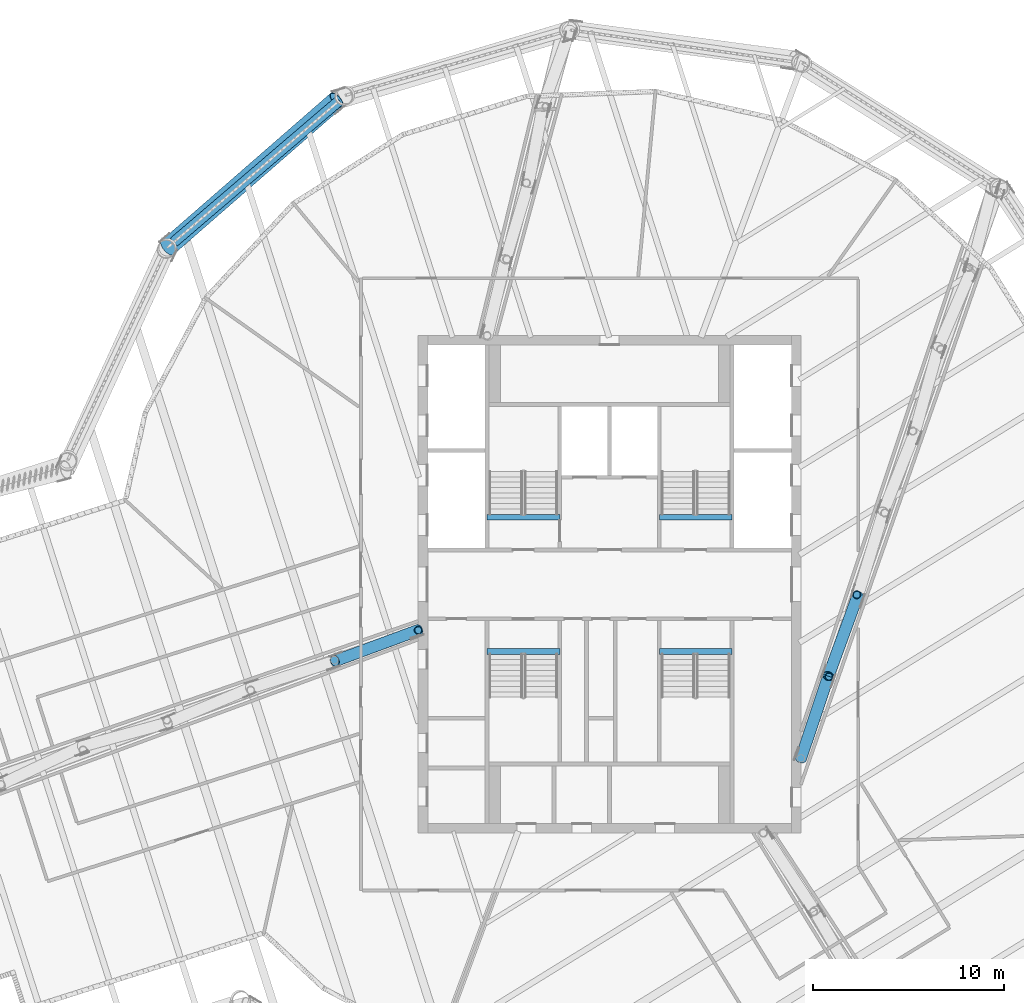
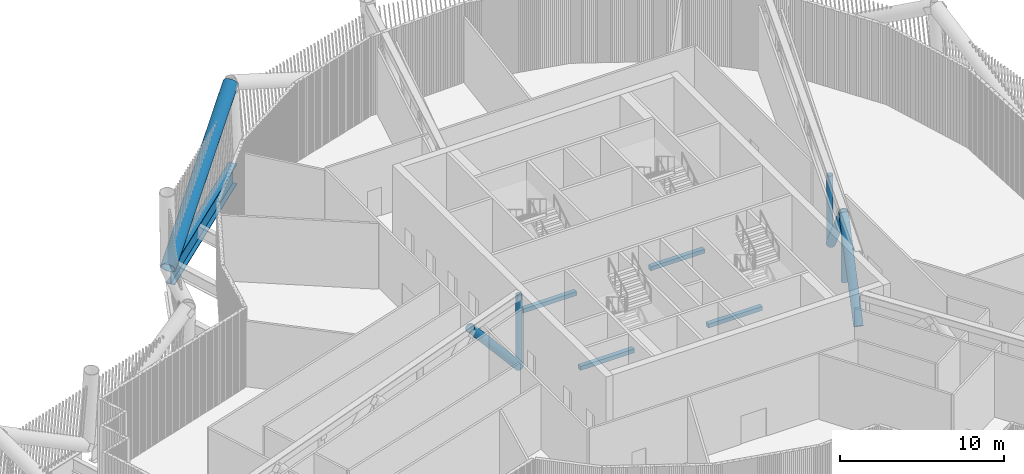
# One storey, part 7 of 40: 7 members, 5 beams.
"""IFC4 building model written with IfcOpenShell, lengths in metres."""

from ifc_helpers import new_model, si_unit, direction, frame, origin, origin_2d, place, context, subcontext, project, spatial, rectangle, hollow_circle, i_section, extrude, material, material_profile, profile_set, type_object, element, save


model = new_model("IFC4")

# Units and contexts
model_context = context("Model", 3, precision=1e-05, world=origin(), true_north=direction((0.0, 1.0)))
body_context = subcontext(model_context, "Body", "Model", "MODEL_VIEW")
ifc_project = project(units=[si_unit("LENGTHUNIT", "METRE"), si_unit("AREAUNIT", "SQUARE_METRE"), si_unit("VOLUMEUNIT", "CUBIC_METRE"), si_unit("PLANEANGLEUNIT", "RADIAN"), si_unit("MASSUNIT", "GRAM", prefix="KILO")], contexts=[model_context])

# Site, building, storey
site_placement = place(None, origin())
site = spatial("IfcSite", under=ifc_project, at=site_placement, CompositionType="ELEMENT")
building_placement = place(site_placement, origin())
building = spatial("IfcBuilding", under=site, at=building_placement, Name="Tarsis Ring Headquarters", CompositionType="ELEMENT")
storey_placement = place(building_placement, frame((0.0, 0.0, 354.800048828125)))
storey = spatial("IfcBuildingStorey", under=building, at=storey_placement, Name="L84", CompositionType="ELEMENT", Elevation=354.800048828125)

# Members
ifc_material_1 = material(Name="Structural steel S355", Category="steel")
ifc_material_profile_1 = material_profile(ifc_material_1, hollow_circle(Radius=0.3046875, WallThickness=0.02490234375, at=origin_2d()), Name="CHS 610x25")
ifc_profile_set_1 = profile_set([ifc_material_profile_1], Name="Structural steel S355")
member_type_1 = type_object("IfcMemberType", Name="OD Outrigger diagonal CHS 610x25", PredefinedType="BRACE", material=ifc_profile_set_1)
member_1_placement = place(storey_placement, frame((10.0, -9.10009765625, 0.25390625), z_axis=(0.205475006775, 0.614402010581, 0.761767806477), x_axis=(-0.948370570447, 0.317164407068, 0.0)))
element("IfcMember", 1, at=member_1_placement, inside=storey, type_object=member_type_1, Name="Outrigger diagonal OD1", PredefinedType="BRACE", context=body_context, shape_type="SweptSolid", body=[
    extrude(hollow_circle(Radius=0.3046875, WallThickness=0.02490234375, at=origin_2d()), origin(), (0.0, 0.0, 1.0), 6.99951171875),
])
member_2_placement = place(storey_placement, frame((11.438232421875, -4.799560546875, 5.5859375), z_axis=(0.220328460103, 0.604220298052, -0.765750090493), x_axis=(-0.939487435461, 0.34258336009, 0.0)))
element("IfcMember", 2, at=member_2_placement, inside=storey, type_object=member_type_1, Name="Outrigger diagonal OD1", PredefinedType="BRACE", context=body_context, shape_type="SweptSolid", body=[
    extrude(hollow_circle(Radius=0.3046875, WallThickness=0.02490234375, at=origin_2d()), origin(), (0.0, 0.0, 1.0), 6.963134765625),
])
member_3_placement = place(storey_placement, frame((-10.0, -2.39990234375, 0.25390625), z_axis=(-0.616768364299, -0.227829638541, 0.75345234793), x_axis=(0.346507629663, -0.938047153711, 0.0)))
element("IfcMember", 3, at=member_3_placement, inside=storey, type_object=member_type_1, Name="Outrigger diagonal OD1", PredefinedType="BRACE", context=body_context, shape_type="SweptSolid", body=[
    extrude(hollow_circle(Radius=0.3046875, WallThickness=0.02490234375, at=origin_2d()), origin(), (0.0, 0.0, 1.0), 7.076904296875),
])
ifc_material_profile_2 = material_profile(ifc_material_1, hollow_circle(Radius=0.203125, WallThickness=0.01611328125, at=origin_2d()), Name="CHS 406x16")
ifc_profile_set_2 = profile_set([ifc_material_profile_2], Name="Structural steel S355")
member_type_2 = type_object("IfcMemberType", Name="OV Outrigger post CHS 406x16", PredefinedType="STRUT", material=ifc_profile_set_2)
for number, where, z_axis, x_axis, name in (
    (4, (11.462158203125, -4.822998046875, 0.508056640625), (0.0, 0.0, 1.0), (1.0, 0.0, 0.0), "Outrigger post OV1"),
    (5, (12.92431640625, -0.5458984375, 0.508056640625), (0.0, 0.0, 1.0), (1.0, 0.0, 0.0), "Outrigger post OV1"),
):
    element("IfcMember", number, at=place(storey_placement, frame(where, z_axis=z_axis, x_axis=x_axis)), inside=storey, type_object=member_type_2, Name=name, PredefinedType="STRUT", context=body_context, shape_type="SweptSolid", body=[
        extrude(hollow_circle(Radius=0.203125, WallThickness=0.01611328125, at=origin_2d()), origin(), (0.0, 0.0, 1.0), 4.823974609375),
    ])
member_4_placement = place(storey_placement, frame((-10.0, -2.39990234375, 0.508056640625), z_axis=(0.0, 0.0, 1.0), x_axis=(1.0, 0.0, 0.0)))
element("IfcMember", 6, at=member_4_placement, inside=storey, type_object=member_type_2, Name="Outrigger post OV1", PredefinedType="STRUT", context=body_context, shape_type="SweptSolid", body=[
    extrude(hollow_circle(Radius=0.203125, WallThickness=0.01611328125, at=origin_2d()), origin(), (0.0, 0.0, 1.0), 5.077880859375),
])

# Beams
ifc_material_2 = material(Name="Concrete C40/50", Category="concrete")
ifc_material_profile_3 = material_profile(ifc_material_2, rectangle(XDim=0.300048828125, YDim=0.300048828125, at=origin_2d()), Name="Stair head beam 300x300 C40/50")
ifc_profile_set_3 = profile_set([ifc_material_profile_3], Name="Concrete C40/50")
beam_type_1 = type_object("IfcBeamType", Name="Stair head beam 300x300 C40/50", PredefinedType="BEAM", material=ifc_profile_set_3)
for number, where, z_axis, x_axis, name in (
    (7, (-6.39990234375, 3.510009765625, -0.449951171875), (1.0, 0.0, 0.0), (0.0, 1.0, 0.0), "Stair head beam L84 Firefighting stair"),
    (8, (2.60009765625, 3.510009765625, -0.449951171875), (1.0, 0.0, 0.0), (0.0, 1.0, 0.0), "Stair head beam L84 Exit stair B"),
    (9, (-6.39990234375, -3.510009765625, -0.449951171875), (1.0, 0.0, 0.0), (0.0, 1.0, 0.0), "Stair head beam L84 Exit stair C"),
    (10, (2.60009765625, -3.510009765625, -0.449951171875), (1.0, 0.0, 0.0), (0.0, 1.0, 0.0), "Stair head beam L84 Exit stair D"),
):
    element("IfcBeam", number, at=place(storey_placement, frame(where, z_axis=z_axis, x_axis=x_axis)), inside=storey, type_object=beam_type_1, Name=name, PredefinedType="BEAM", context=body_context, shape_type="SweptSolid", body=[
        extrude(rectangle(XDim=0.300048828125, YDim=0.300048828125, at=origin_2d()), origin(), (0.0, 0.0, 1.0), 3.7998046875),
    ])

# Member
ifc_material_profile_4 = material_profile(ifc_material_1, hollow_circle(Radius=0.482666015625, WallThickness=0.0400390625, at=origin_2d()), Name="CHS 965x40")
ifc_profile_set_4 = profile_set([ifc_material_profile_4], Name="Structural steel S355")
member_type_3 = type_object("IfcMemberType", Name="TD Belt truss diagonal CHS 965x40", PredefinedType="BRACE", material=ifc_profile_set_4)
member_5_placement = place(storey_placement, frame((-23.109619140625, 17.60009765625, 0.0), z_axis=(0.671376883618, 0.584766134676, 0.455303907166), x_axis=(-0.656792577124, 0.754071290154, 0.0)))
element("IfcMember", 11, at=member_5_placement, inside=storey, type_object=member_type_3, Name="Belt truss diagonal TD7", PredefinedType="BRACE", context=body_context, shape_type="SweptSolid", body=[
    extrude(hollow_circle(Radius=0.482666015625, WallThickness=0.0400390625, at=origin_2d()), origin(), (0.0, 0.0, 1.0), 13.177978515625),
])

# Beam
ifc_material_profile_5 = material_profile(ifc_material_1, i_section(OverallWidth=0.550048828125, OverallDepth=1.5, WebThickness=0.030029296875, FlangeThickness=0.050048828125, at=origin_2d()), Name="PG 1500x550x30x50")
ifc_profile_set_5 = profile_set([ifc_material_profile_5], Name="Structural steel S355")
beam_type_2 = type_object("IfcBeamType", Name="XG Ring girder PG 1500x550x30x50", PredefinedType="BEAM", material=ifc_profile_set_5)
beam_placement = place(storey_placement, frame((-14.130615234375, 25.278564453125, -0.75), z_axis=(-0.759999648106, -0.649923483864, 0.0), x_axis=(0.649923483864, -0.759999648106, 0.0)))
element("IfcBeam", 12, at=beam_placement, inside=storey, type_object=beam_type_2, Name="Ring girder XG6", PredefinedType="BEAM", context=body_context, shape_type="SweptSolid", body=[
    extrude(i_section(OverallWidth=0.550048828125, OverallDepth=1.5, WebThickness=0.030029296875, FlangeThickness=0.050048828125, at=origin_2d()), origin(), (0.0, 0.0, 1.0), 11.380126953125),
])

save(model, "model.ifc")
